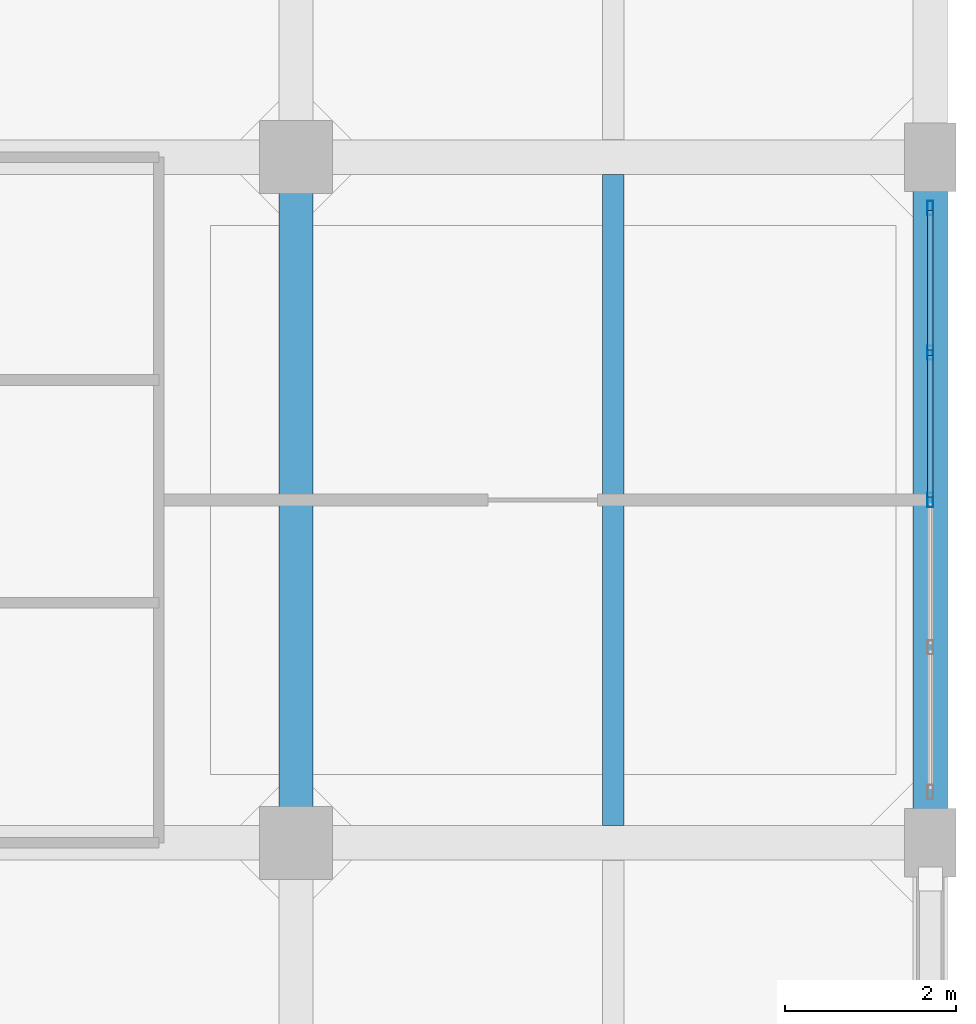
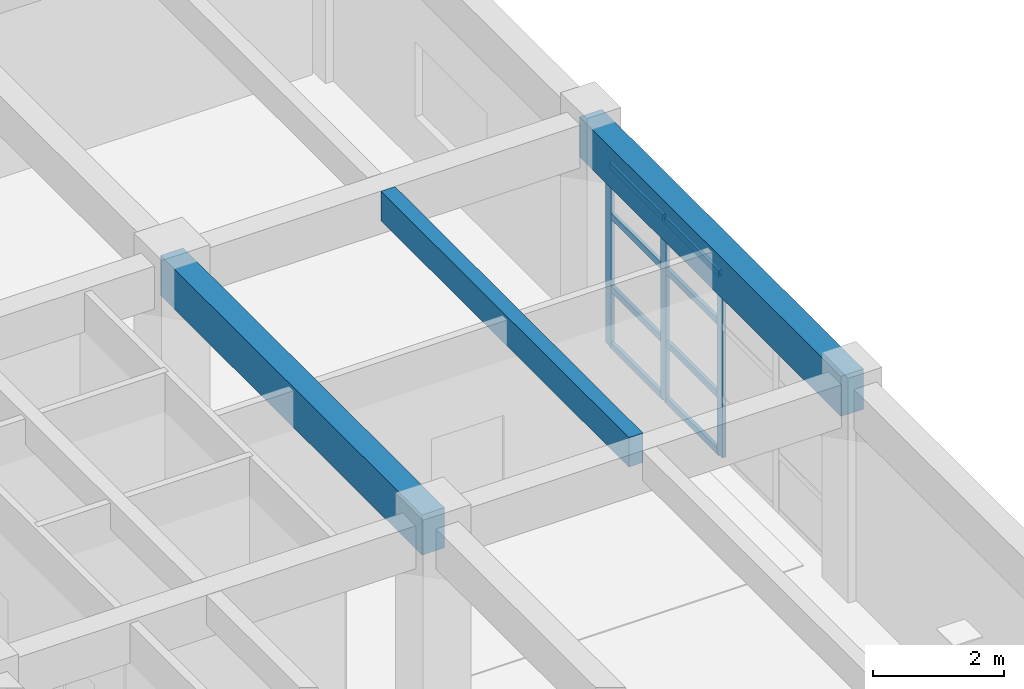
# One storey, part 13 of 30: 11 members, 3 beams, 1 element without a shape of its own.
"""IFC4 building model written with IfcOpenShell, lengths in metres."""

from ifc_helpers import new_model, si_unit, direction, frame, origin, origin_2d, place, context, subcontext, project, spatial, rectangle, hollow_rectangle, extrude, material, layer, layer_set, material_profile, profile_set, type_object, element, aggregate, save


model = new_model("IFC4")

# Units and contexts
model_context = context("Model", 3, precision=1e-05, world=origin(), true_north=direction((0.0, 1.0)))
body_context = subcontext(model_context, "Body", "Model", "MODEL_VIEW")
ifc_project = project(units=[si_unit("LENGTHUNIT", "METRE"), si_unit("AREAUNIT", "SQUARE_METRE"), si_unit("VOLUMEUNIT", "CUBIC_METRE"), si_unit("PLANEANGLEUNIT", "RADIAN"), si_unit("MASSUNIT", "GRAM", prefix="KILO")], contexts=[model_context])

# Site, building, storey
site_placement = place(None, origin())
site = spatial("IfcSite", under=ifc_project, at=site_placement, CompositionType="ELEMENT")
building_placement = place(site_placement, origin())
building = spatial("IfcBuilding", under=site, at=building_placement, Name="Canggui Botanical Conservatory", CompositionType="ELEMENT")
storey_placement = place(building_placement, frame((0.0, 0.0, 19.199951171875)))
storey = spatial("IfcBuildingStorey", under=building, at=storey_placement, Name="L05", CompositionType="ELEMENT", Elevation=19.199951171875)

# Beams
ifc_material_1 = material(Name="Concrete C35", Category="concrete")
ifc_material_profile_1 = material_profile(ifc_material_1, rectangle(XDim=0.25, YDim=0.550048828125, at=origin_2d()), Name="RB 250x550")
ifc_profile_set_1 = profile_set([ifc_material_profile_1], Name="Concrete C35")
beam_type_1 = type_object("IfcBeamType", Name="BM-JST03", PredefinedType="JOIST", material=ifc_profile_set_1)
beam_placement = place(storey_placement, frame((173.699951171875, 50.205078125, 3.68505859375), z_axis=(0.0, 1.0, 0.0), x_axis=(-1.0, 0.0, 0.0)))
element("IfcBeam", 1, at=beam_placement, inside=storey, type_object=beam_type_1, Name="Secondary Floor Joist L05-5-4", PredefinedType="JOIST", context=body_context, shape_type="SweptSolid", body=[
    extrude(rectangle(XDim=0.25, YDim=0.550048828125, at=origin_2d()), origin(), (0.0, 0.0, 1.0), 7.58984375),
])
ifc_material_profile_2 = material_profile(ifc_material_1, rectangle(XDim=0.39990234375, YDim=0.75, at=origin_2d()), Name="RB 400x750")
ifc_profile_set_2 = profile_set([ifc_material_profile_2], Name="Concrete C35")
beam_type_2 = type_object("IfcBeamType", Name="BM-KL10", PredefinedType="BEAM", material=ifc_profile_set_2)
for number, where, z_axis, x_axis, name in (
    (2, (170.0, 50.0, 3.5849609375), (0.0, 1.0, 0.0), (-1.0, 0.0, 0.0), "Frame Girder L05 X170-4"),
    (3, (177.39990234375, 50.0, 3.5849609375), (0.0, 1.0, 0.0), (-1.0, 0.0, 0.0), "Frame Girder L05 X178-4"),
):
    element("IfcBeam", number, at=place(storey_placement, frame(where, z_axis=z_axis, x_axis=x_axis)), inside=storey, type_object=beam_type_2, Name=name, PredefinedType="BEAM", context=body_context, shape_type="SweptSolid", body=[
        extrude(rectangle(XDim=0.39990234375, YDim=0.75, at=origin_2d()), origin(), (0.0, 0.0, 1.0), 8.0),
    ])

# Curtain wall, members
ifc_material_2 = material(Name="Thermally Broken Aluminium", Category="aluminium")
ifc_layer = layer(ifc_material_2, 0.1650390625, Name="Thermally Broken Aluminium", Category="aluminium")
ifc_layer_set = layer_set([ifc_layer], Name="Thermally Broken Aluminium")
curtain_wall_type = type_object("IfcCurtainWallType", Name="CW-UNIT-B", PredefinedType="USERDEFINED", material=ifc_layer_set)
curtain_wall_placement = place(storey_placement, origin())
curtain_wall = element("IfcCurtainWall", 4, at=curtain_wall_placement, inside=storey, type_object=curtain_wall_type, Name="Facade Curtain Wall CW-TWR-L05-19", ObjectType="UNITISED CURTAIN WALL", PredefinedType="USERDEFINED")
ifc_material_profile_3 = material_profile(ifc_material_2, hollow_rectangle(XDim=0.06494140625, YDim=0.1650390625, WallThickness=0.00390625, at=origin_2d()), Name="CWM 65x165x4")
ifc_profile_set_3 = profile_set([ifc_material_profile_3], Name="Thermally Broken Aluminium")
member_type_1 = type_object("IfcMemberType", Name="CWM-02", PredefinedType="MULLION", material=ifc_profile_set_3)
member_1_placement = place(storey_placement, frame((177.39990234375, 57.407470703125, 0.0), z_axis=(0.0, 0.0, 1.0), x_axis=(1.0, 0.0, 0.0)))
member_1 = element("IfcMember", 5, at=member_1_placement, type_object=member_type_1, Name="CW-02 mullion 1", PredefinedType="MULLION", context=body_context, shape_type="SweptSolid", body=[
    extrude(hollow_rectangle(XDim=0.06494140625, YDim=0.1650390625, WallThickness=0.00390625, at=origin_2d()), origin(), (0.0, 0.0, 1.0), 3.400146484375),
])
member_2_placement = place(storey_placement, frame((177.39990234375, 55.719970703125, 0.0), z_axis=(0.0, 0.0, 1.0), x_axis=(1.0, 0.0, 0.0)))
member_2 = element("IfcMember", 6, at=member_2_placement, type_object=member_type_1, Name="CW-02 mullion 2", PredefinedType="MULLION", context=body_context, shape_type="SweptSolid", body=[
    extrude(hollow_rectangle(XDim=0.06494140625, YDim=0.1650390625, WallThickness=0.00390625, at=origin_2d()), origin(), (0.0, 0.0, 1.0), 3.400146484375),
])
member_3_placement = place(storey_placement, frame((177.39990234375, 54.0, 0.0), z_axis=(0.0, 0.0, 1.0), x_axis=(1.0, 0.0, 0.0)))
member_3 = element("IfcMember", 7, at=member_3_placement, type_object=member_type_1, Name="CW-02 mullion 3", PredefinedType="MULLION", context=body_context, shape_type="SweptSolid", body=[
    extrude(hollow_rectangle(XDim=0.06494140625, YDim=0.1650390625, WallThickness=0.00390625, at=origin_2d()), origin(), (0.0, 0.0, 1.0), 3.400146484375),
])
ifc_material_profile_4 = material_profile(ifc_material_2, hollow_rectangle(XDim=0.06005859375, YDim=0.1201171875, WallThickness=0.00341796875, at=origin_2d()), Name="CWT 60x120x3.5")
ifc_profile_set_4 = profile_set([ifc_material_profile_4], Name="Thermally Broken Aluminium")
member_type_2 = type_object("IfcMemberType", Name="CWT-02", PredefinedType="USERDEFINED", material=ifc_profile_set_4)
member_4_placement = place(storey_placement, frame((177.39990234375, 57.375, 0.030029296875), z_axis=(0.0, -1.0, 0.0), x_axis=(1.0, 0.0, 0.0)))
member_4 = element("IfcMember", 8, at=member_4_placement, type_object=member_type_2, Name="CW-02 transom 1.1", ObjectType="TRANSOM", PredefinedType="USERDEFINED", context=body_context, shape_type="SweptSolid", body=[
    extrude(hollow_rectangle(XDim=0.06005859375, YDim=0.1201171875, WallThickness=0.00341796875, at=origin_2d()), origin(), (0.0, 0.0, 1.0), 1.62255859375),
])
member_5_placement = place(storey_placement, frame((177.39990234375, 57.375, 1.088134765625), z_axis=(0.0, -1.0, 0.0), x_axis=(1.0, 0.0, 0.0)))
member_5 = element("IfcMember", 9, at=member_5_placement, type_object=member_type_2, Name="CW-02 transom 1.2", ObjectType="TRANSOM", PredefinedType="USERDEFINED", context=body_context, shape_type="SweptSolid", body=[
    extrude(hollow_rectangle(XDim=0.06005859375, YDim=0.1201171875, WallThickness=0.00341796875, at=origin_2d()), origin(), (0.0, 0.0, 1.0), 1.62255859375),
])
member_6_placement = place(storey_placement, frame((177.39990234375, 57.375, 2.447998046875), z_axis=(0.0, -1.0, 0.0), x_axis=(1.0, 0.0, 0.0)))
member_6 = element("IfcMember", 10, at=member_6_placement, type_object=member_type_2, Name="CW-02 transom 1.3", ObjectType="TRANSOM", PredefinedType="USERDEFINED", context=body_context, shape_type="SweptSolid", body=[
    extrude(hollow_rectangle(XDim=0.06005859375, YDim=0.1201171875, WallThickness=0.00341796875, at=origin_2d()), origin(), (0.0, 0.0, 1.0), 1.62255859375),
])
member_7_placement = place(storey_placement, frame((177.39990234375, 57.375, 3.3701171875), z_axis=(0.0, -1.0, 0.0), x_axis=(1.0, 0.0, 0.0)))
member_7 = element("IfcMember", 11, at=member_7_placement, type_object=member_type_2, Name="CW-02 transom 1.4", ObjectType="TRANSOM", PredefinedType="USERDEFINED", context=body_context, shape_type="SweptSolid", body=[
    extrude(hollow_rectangle(XDim=0.06005859375, YDim=0.1201171875, WallThickness=0.00341796875, at=origin_2d()), origin(), (0.0, 0.0, 1.0), 1.62255859375),
])
member_8_placement = place(storey_placement, frame((177.39990234375, 55.6875, 0.030029296875), z_axis=(0.0, -1.0, 0.0), x_axis=(1.0, 0.0, 0.0)))
member_8 = element("IfcMember", 12, at=member_8_placement, type_object=member_type_2, Name="CW-02 transom 2.1", ObjectType="TRANSOM", PredefinedType="USERDEFINED", context=body_context, shape_type="SweptSolid", body=[
    extrude(hollow_rectangle(XDim=0.06005859375, YDim=0.1201171875, WallThickness=0.00341796875, at=origin_2d()), origin(), (0.0, 0.0, 1.0), 1.655029296875),
])
member_9_placement = place(storey_placement, frame((177.39990234375, 55.6875, 1.088134765625), z_axis=(0.0, -1.0, 0.0), x_axis=(1.0, 0.0, 0.0)))
member_9 = element("IfcMember", 13, at=member_9_placement, type_object=member_type_2, Name="CW-02 transom 2.2", ObjectType="TRANSOM", PredefinedType="USERDEFINED", context=body_context, shape_type="SweptSolid", body=[
    extrude(hollow_rectangle(XDim=0.06005859375, YDim=0.1201171875, WallThickness=0.00341796875, at=origin_2d()), origin(), (0.0, 0.0, 1.0), 1.655029296875),
])
member_10_placement = place(storey_placement, frame((177.39990234375, 55.6875, 2.447998046875), z_axis=(0.0, -1.0, 0.0), x_axis=(1.0, 0.0, 0.0)))
member_10 = element("IfcMember", 14, at=member_10_placement, type_object=member_type_2, Name="CW-02 transom 2.3", ObjectType="TRANSOM", PredefinedType="USERDEFINED", context=body_context, shape_type="SweptSolid", body=[
    extrude(hollow_rectangle(XDim=0.06005859375, YDim=0.1201171875, WallThickness=0.00341796875, at=origin_2d()), origin(), (0.0, 0.0, 1.0), 1.655029296875),
])
member_11_placement = place(storey_placement, frame((177.39990234375, 55.6875, 3.3701171875), z_axis=(0.0, -1.0, 0.0), x_axis=(1.0, 0.0, 0.0)))
member_11 = element("IfcMember", 15, at=member_11_placement, type_object=member_type_2, Name="CW-02 transom 2.4", ObjectType="TRANSOM", PredefinedType="USERDEFINED", context=body_context, shape_type="SweptSolid", body=[
    extrude(hollow_rectangle(XDim=0.06005859375, YDim=0.1201171875, WallThickness=0.00341796875, at=origin_2d()), origin(), (0.0, 0.0, 1.0), 1.655029296875),
])
aggregate(curtain_wall, [member_1, member_2, member_3, member_4, member_5, member_6, member_7, member_8, member_9, member_10, member_11])

save(model, "model.ifc")
